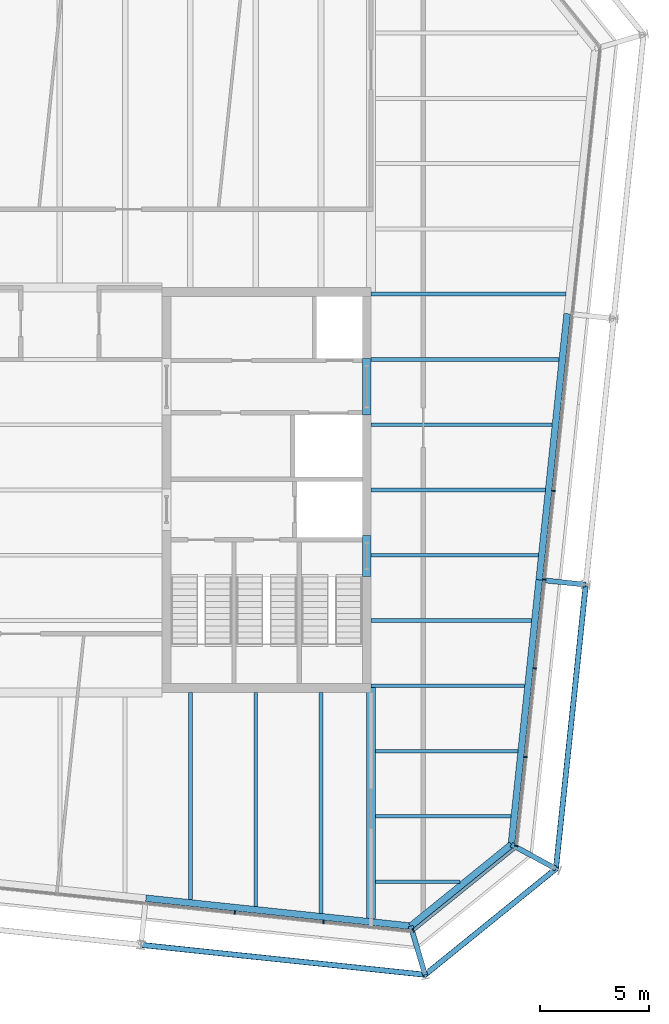
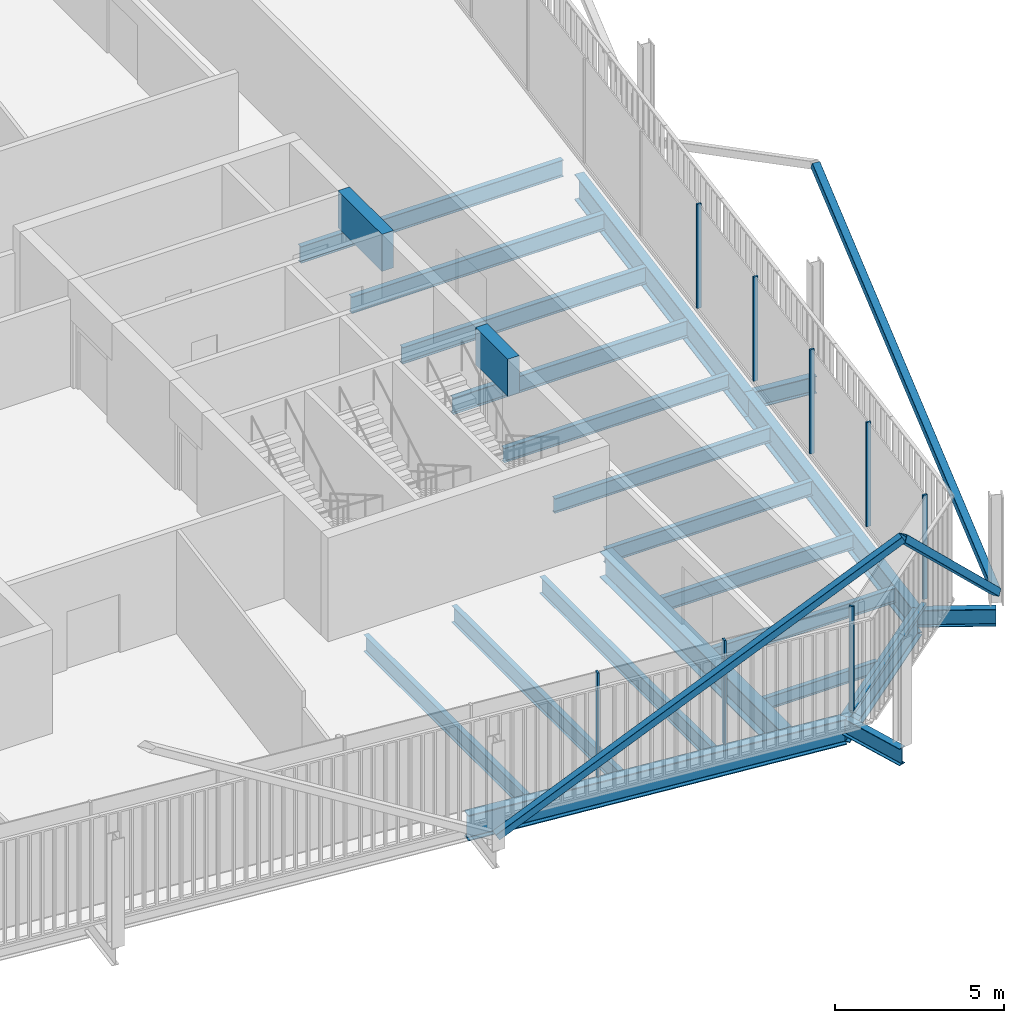
# One storey, part 9 of 21: 23 beams, 12 members, 3 elements without a shape of their own.
"""IFC4 building model written with IfcOpenShell, lengths in metres."""

import ifcopenshell
import ifcopenshell.guid

model = None  # the IFC model being written
_history = None  # IfcOwnerHistory: only IFC2X3 demands one
_inside = {}  # id of a spatial element -> (the spatial element, [elements in it])
_under = {}  # id of a project, library or spatial element -> (it, [spatial elements below it])
_declared = {}  # id of a project -> (the project, [libraries it declares])
_typed = {}  # id of a type object -> (the type object, [elements of that type])
_made_of = {}  # id of a material, layer set ... -> (it, [elements and type objects made of it])


def new_model(schema):
    """Start an empty IFC model of exactly this schema.

    Asked for "IFC4X3", IfcOpenShell would pick the latest addendum, in which some entities
    have other attributes; the version numbers below select the first issue.
    IFC2X3 requires an IfcOwnerHistory on every rooted entity: one is made here for all.
    """
    global model, _history
    if schema == "IFC4X3":
        model = ifcopenshell.file(schema_version=(4, 3, 0, 0))
    else:
        model = ifcopenshell.file(schema=schema)
    _inside.clear()
    _under.clear()
    _declared.clear()
    _typed.clear()
    _made_of.clear()
    _history = None
    if model.schema == "IFC2X3":
        org = make("IfcOrganization", Name="unknown")
        user = make(
            "IfcPersonAndOrganization",
            ThePerson=make("IfcPerson", FamilyName="unknown"),
            TheOrganization=org,
        )
        app = make(
            "IfcApplication",
            ApplicationDeveloper=org,
            Version="unknown",
            ApplicationFullName="unknown",
            ApplicationIdentifier="unknown",
        )
        _history = make(
            "IfcOwnerHistory",
            OwningUser=user,
            OwningApplication=app,
            ChangeAction="ADDED",
            CreationDate=0,
        )
    return model


def make(cls, **values):
    """One entity of the class cls with the attributes given. An attribute that is None is left unset."""
    return model.create_entity(
        cls, **{name: value for name, value in values.items() if value is not None}
    )


def rooted(cls, **values):
    """An entity with a GlobalId (a new one), such as an element, a storey or a relation."""
    return make(cls, GlobalId=ifcopenshell.guid.new(), OwnerHistory=_history, **values)


def si_unit(unit_type, name, prefix=None):
    """IfcSIUnit, for example si_unit("LENGTHUNIT", "METRE", prefix="MILLI")."""
    return make("IfcSIUnit", UnitType=unit_type, Prefix=prefix, Name=name)


def assignment(units):
    """IfcUnitAssignment: the units of a project."""
    return None if units is None else make("IfcUnitAssignment", Units=units)


def point(xyz):
    """IfcCartesianPoint."""
    return None if xyz is None else make("IfcCartesianPoint", Coordinates=xyz)


def direction(xyz):
    """IfcDirection."""
    return None if xyz is None else make("IfcDirection", DirectionRatios=xyz)


def frame(location, z_axis=None, x_axis=None):
    """IfcAxis2Placement3D, a coordinate frame: its origin and axes. An axis left out is left unset."""
    return make(
        "IfcAxis2Placement3D",
        Location=point(location),
        Axis=direction(z_axis),
        RefDirection=direction(x_axis),
    )


def frame_2d(location, x_axis=None):
    """IfcAxis2Placement2D, a coordinate frame in the plane: its origin and x axis."""
    return make(
        "IfcAxis2Placement2D", Location=point(location), RefDirection=direction(x_axis)
    )


def origin():
    """The frame at (0, 0, 0) with its axes left unset."""
    return frame((0.0, 0.0, 0.0))


def origin_2d():
    """The frame at (0, 0) in the plane with its x axis left unset."""
    return frame_2d((0.0, 0.0))


def place(relative_to, where):
    """IfcLocalPlacement: puts the frame where relative to a parent placement (None: the world)."""
    return make(
        "IfcLocalPlacement", PlacementRelTo=relative_to, RelativePlacement=where
    )


def context(
    kind, dimensions, precision=None, world=None, true_north=None, identifier=None
):
    """IfcGeometricRepresentationContext, for example the 3D "Model" context."""
    return make(
        "IfcGeometricRepresentationContext",
        ContextIdentifier=identifier,
        ContextType=kind,
        CoordinateSpaceDimension=dimensions,
        Precision=precision,
        WorldCoordinateSystem=world,
        TrueNorth=true_north,
    )


def subcontext(parent, identifier, kind, view, scale=None):
    """IfcGeometricRepresentationSubContext, for example "Body" below "Model"."""
    return make(
        "IfcGeometricRepresentationSubContext",
        ContextIdentifier=identifier,
        ContextType=kind,
        ParentContext=parent,
        TargetScale=scale,
        TargetView=view,
    )


def project(units=None, contexts=None):
    """IfcProject with its units and contexts."""
    return rooted(
        "IfcProject",
        Name="project",
        RepresentationContexts=contexts,
        UnitsInContext=assignment(units),
    )


def spatial(cls, under=None, at=None, **own):
    """A site, building, storey or space (cls), placed at a placement, below another one or the project."""
    s = rooted(cls, ObjectPlacement=at, **own)
    if under is not None:
        _under.setdefault(under.id(), (under, []))[1].append(s)
    return s


def profile(cls, at=None, kind="AREA", **sizes):
    """A parametric profile (cls). Its sizes go by their IFC names, for example OverallWidth=200.0."""
    return make(cls, ProfileType=kind, Position=at, **sizes)


def rectangle(**sizes):
    """IfcRectangleProfileDef."""
    return profile("IfcRectangleProfileDef", **sizes)


def hollow_rectangle(**sizes):
    """IfcRectangleHollowProfileDef."""
    return profile("IfcRectangleHollowProfileDef", **sizes)


def i_section(**sizes):
    """IfcIShapeProfileDef."""
    return profile("IfcIShapeProfileDef", **sizes)


def extrude(swept, where, along, depth):
    """IfcExtrudedAreaSolid: the profile swept, set in the frame where, extruded along a direction by depth."""
    return make(
        "IfcExtrudedAreaSolid",
        SweptArea=swept,
        Position=where,
        ExtrudedDirection=direction(along),
        Depth=depth,
    )


def shape(context_of_items, identifier, shape_type, items):
    """IfcShapeRepresentation: the items that make up one representation, for example the "Body"."""
    return make(
        "IfcShapeRepresentation",
        ContextOfItems=context_of_items,
        RepresentationIdentifier=identifier,
        RepresentationType=shape_type,
        Items=items,
    )


def material(Name=None, Category=None):
    """IfcMaterial."""
    return make("IfcMaterial", Name=Name, Category=Category)


def layer(
    of_material, thickness, ventilated=None, Name=None, Category=None, Priority=None
):
    """IfcMaterialLayer: one layer of a wall or slab, of a material (None: an air gap)."""
    return make(
        "IfcMaterialLayer",
        Material=of_material,
        LayerThickness=thickness,
        IsVentilated=ventilated,
        Name=Name,
        Category=Category,
        Priority=Priority,
    )


def layer_set(layers, Name=None):
    """IfcMaterialLayerSet."""
    return make("IfcMaterialLayerSet", MaterialLayers=layers, LayerSetName=Name)


def material_profile(
    of_material, cross_section, Name=None, Category=None, Priority=None
):
    """IfcMaterialProfile: a cross section and its material."""
    return make(
        "IfcMaterialProfile",
        Name=Name,
        Material=of_material,
        Profile=cross_section,
        Priority=Priority,
        Category=Category,
    )


def profile_set(profiles, Name=None, composite=None):
    """IfcMaterialProfileSet."""
    return make(
        "IfcMaterialProfileSet",
        Name=Name,
        MaterialProfiles=profiles,
        CompositeProfile=composite,
    )


def made_of(thing, what):
    """Note that an element or type object is made of a material, layer set ...; save() writes the relation."""
    if what is not None:
        _made_of.setdefault(what.id(), (what, []))[1].append(thing)
    return thing


def type_object(cls, material=None, **own):
    """A type object (cls), such as IfcWallType, which elements share."""
    return made_of(rooted(cls, **own), material)


def element(
    cls,
    number,
    at=None,
    inside=None,
    cuts=None,
    type_object=None,
    material=None,
    context=None,
    identifier="Body",
    shape_type=None,
    held_by="IfcProductDefinitionShape",
    body=None,
    shapes=None,
    **own,
):
    """One element of the class cls, such as IfcWall. Its Tag is "e" and its number.

    at: its placement. inside: the storey or other place that contains it. cuts: it is an
    opening in that element (IfcRelVoidsElement). A single representation is given by context,
    identifier, shape_type and body (its items); several are given by shapes. held_by: the class
    of the entity that holds the representations. save() writes the other relations.
    """
    e = rooted(cls, Tag="e%d" % number, ObjectPlacement=at, **own)
    if body is not None:
        shapes = [shape(context, identifier, shape_type, body)]
    if shapes is not None:
        e.Representation = make(held_by, Representations=shapes)
    if inside is not None:
        _inside.setdefault(inside.id(), (inside, []))[1].append(e)
    if cuts is not None:
        rooted(
            "IfcRelVoidsElement", RelatingBuildingElement=cuts, RelatedOpeningElement=e
        )
    if type_object is not None:
        _typed.setdefault(type_object.id(), (type_object, []))[1].append(e)
    return made_of(e, material)


def aggregate(whole, parts):
    """IfcRelAggregates: a whole, such as a stair, and the parts it consists of."""
    return rooted("IfcRelAggregates", RelatingObject=whole, RelatedObjects=parts)


def save(model, path):
    """Write the relations noted so far, then the file.

    IfcRelAggregates (storeys below a building ...), IfcRelContainedInSpatialStructure (elements
    in a storey), IfcRelDefinesByType, IfcRelAssociatesMaterial and IfcRelDeclares: one each for
    every whole, place, type object, material and project.
    """
    for whole, parts in _under.values():
        aggregate(whole, parts)
    for where, things in _inside.values():
        rooted(
            "IfcRelContainedInSpatialStructure",
            RelatedElements=things,
            RelatingStructure=where,
        )
    for kind, things in _typed.values():
        rooted("IfcRelDefinesByType", RelatedObjects=things, RelatingType=kind)
    for what, things in _made_of.values():
        rooted("IfcRelAssociatesMaterial", RelatedObjects=things, RelatingMaterial=what)
    for by, libraries in _declared.values():
        rooted("IfcRelDeclares", RelatingContext=by, RelatedDefinitions=libraries)
    model.write(path)


model = new_model("IFC4")

# Units and contexts
model_context = context("Model", 3, precision=1e-05, world=origin(), true_north=direction((0.0, 1.0)))
body_context = subcontext(model_context, "Body", "Model", "MODEL_VIEW")
ifc_project = project(units=[si_unit("LENGTHUNIT", "METRE"), si_unit("AREAUNIT", "SQUARE_METRE"), si_unit("VOLUMEUNIT", "CUBIC_METRE"), si_unit("PLANEANGLEUNIT", "RADIAN"), si_unit("MASSUNIT", "GRAM", prefix="KILO")], contexts=[model_context])

# Site, building, storey
site_placement = place(None, origin())
site = spatial("IfcSite", under=ifc_project, at=site_placement, CompositionType="ELEMENT")
building_placement = place(site_placement, origin())
building = spatial("IfcBuilding", under=site, at=building_placement, Name="Millrace Tower", CompositionType="ELEMENT")
storey_placement = place(building_placement, frame((0.0, 0.0, 334.300048828125)))
storey = spatial("IfcBuildingStorey", under=building, at=storey_placement, Name="L77", CompositionType="ELEMENT", Elevation=334.300048828125)

# Curtain wall, members
ifc_material_1 = material(Name="Aluminium and glass", Category="aluminium")
ifc_layer = layer(ifc_material_1, 0.14990234375)
ifc_layer_set = layer_set([ifc_layer], Name="Aluminium and glass")
curtain_wall_type = type_object("IfcCurtainWallType", Name="CW-1 office vision curtain wall", PredefinedType="NOTDEFINED", material=ifc_layer_set)
placement = place(storey_placement, origin())
curtain_wall_1 = element("IfcCurtainWall", 1, at=placement, inside=storey, type_object=curtain_wall_type, Name="Curtain wall E-F02 L77", PredefinedType="NOTDEFINED")
ifc_material_2 = material(Name="Aluminium", Category="aluminium")
ifc_material_profile_1 = material_profile(ifc_material_2, rectangle(XDim=0.06494140625, YDim=0.14990234375, at=origin_2d()))
ifc_profile_set_1 = profile_set([ifc_material_profile_1], Name="Aluminium")
member_type_1 = type_object("IfcMemberType", Name="CW-1 office vision curtain wall mullion", PredefinedType="MULLION", material=ifc_profile_set_1)
member_1_placement = place(storey_placement, frame((8.040283203125, -19.4248046875, 0.139892578125), z_axis=(0.0, 0.0, 1.0), x_axis=(0.994521896217, -0.104528455196, 0.0)))
member_1 = element("IfcMember", 2, at=member_1_placement, type_object=member_type_1, Name="CW1 mullion E-F02.8", PredefinedType="MULLION", context=body_context, shape_type="SweptSolid", body=[
    extrude(rectangle(XDim=0.06494140625, YDim=0.14990234375, at=origin_2d()), origin(), (0.0, 0.0, 1.0), 3.760009765625),
])
member_2_placement = place(storey_placement, frame((12.117919921875, -19.853271484375, 0.139892578125), z_axis=(0.0, 0.0, 1.0), x_axis=(0.994521896217, -0.104528455196, 0.0)))
member_2 = element("IfcMember", 3, at=member_2_placement, type_object=member_type_1, Name="CW1 mullion E-F02.9", PredefinedType="MULLION", context=body_context, shape_type="SweptSolid", body=[
    extrude(rectangle(XDim=0.06494140625, YDim=0.14990234375, at=origin_2d()), origin(), (0.0, 0.0, 1.0), 3.760009765625),
])
aggregate(curtain_wall_1, [member_1, member_2])

# Curtain wall, member
curtain_wall_2 = element("IfcCurtainWall", 4, at=placement, inside=storey, type_object=curtain_wall_type, Name="Curtain wall E-F03 L77", PredefinedType="NOTDEFINED")
member_3_placement = place(storey_placement, frame((16.243408203125, -20.24169921875, 0.139892578125), z_axis=(0.0, 0.0, 1.0), x_axis=(0.777146052237, 0.629320278945, 0.0)))
member_3 = element("IfcMember", 5, at=member_3_placement, type_object=member_type_1, Name="CW1 mullion E-F03.1", PredefinedType="MULLION", context=body_context, shape_type="SweptSolid", body=[
    extrude(rectangle(XDim=0.06494140625, YDim=0.14990234375, at=origin_2d()), origin(), (0.0, 0.0, 1.0), 3.760009765625),
])

# Curtain wall, members
curtain_wall_3 = element("IfcCurtainWall", 6, at=placement, inside=storey, type_object=curtain_wall_type, Name="Curtain wall E-F04 L77", PredefinedType="NOTDEFINED")
member_4_placement = place(storey_placement, frame((20.974853515625, -16.3525390625, 0.139892578125), z_axis=(0.0, 0.0, 1.0), x_axis=(0.104528455196, 0.994521896217, 0.0)))
member_4 = element("IfcMember", 7, at=member_4_placement, type_object=member_type_1, Name="CW1 mullion E-F04.1", PredefinedType="MULLION", context=body_context, shape_type="SweptSolid", body=[
    extrude(rectangle(XDim=0.06494140625, YDim=0.14990234375, at=origin_2d()), origin(), (0.0, 0.0, 1.0), 3.760009765625),
])
member_5_placement = place(storey_placement, frame((21.4033203125, -12.27490234375, 0.139892578125), z_axis=(0.0, 0.0, 1.0), x_axis=(0.104528455196, 0.994521896217, 0.0)))
member_5 = element("IfcMember", 8, at=member_5_placement, type_object=member_type_1, Name="CW1 mullion E-F04.2", PredefinedType="MULLION", context=body_context, shape_type="SweptSolid", body=[
    extrude(rectangle(XDim=0.06494140625, YDim=0.14990234375, at=origin_2d()), origin(), (0.0, 0.0, 1.0), 3.760009765625),
])
member_6_placement = place(storey_placement, frame((21.83203125, -8.197509765625, 0.139892578125), z_axis=(0.0, 0.0, 1.0), x_axis=(0.104528455196, 0.994521896217, 0.0)))
member_6 = element("IfcMember", 9, at=member_6_placement, type_object=member_type_1, Name="CW1 mullion E-F04.3", PredefinedType="MULLION", context=body_context, shape_type="SweptSolid", body=[
    extrude(rectangle(XDim=0.06494140625, YDim=0.14990234375, at=origin_2d()), origin(), (0.0, 0.0, 1.0), 3.760009765625),
])
member_7_placement = place(storey_placement, frame((22.260498046875, -4.119873046875, 0.139892578125), z_axis=(0.0, 0.0, 1.0), x_axis=(0.104528455196, 0.994521896217, 0.0)))
member_7 = element("IfcMember", 10, at=member_7_placement, type_object=member_type_1, Name="CW1 mullion E-F04.4", PredefinedType="MULLION", context=body_context, shape_type="SweptSolid", body=[
    extrude(rectangle(XDim=0.06494140625, YDim=0.14990234375, at=origin_2d()), origin(), (0.0, 0.0, 1.0), 3.760009765625),
])
member_8_placement = place(storey_placement, frame((22.68896484375, -0.042236328125, 0.139892578125), z_axis=(0.0, 0.0, 1.0), x_axis=(0.104528455196, 0.994521896217, 0.0)))
member_8 = element("IfcMember", 11, at=member_8_placement, type_object=member_type_1, Name="CW1 mullion E-F04.5", PredefinedType="MULLION", context=body_context, shape_type="SweptSolid", body=[
    extrude(rectangle(XDim=0.06494140625, YDim=0.14990234375, at=origin_2d()), origin(), (0.0, 0.0, 1.0), 3.760009765625),
])
aggregate(curtain_wall_3, [member_4, member_5, member_6, member_7, member_8])

# Member
ifc_material_3 = material(Name="Aluminium", Category="aluminium")
ifc_material_profile_2 = material_profile(ifc_material_3, rectangle(XDim=0.14990234375, YDim=0.139892578125, at=origin_2d()))
ifc_profile_set_2 = profile_set([ifc_material_profile_2], Name="Aluminium")
member_type_2 = type_object("IfcMemberType", Name="CW-1 office vision curtain wall transom", PredefinedType="USERDEFINED", material=ifc_profile_set_2)
member_9_placement = place(storey_placement, frame((16.2958984375, -20.19921875, 0.070068359375), z_axis=(0.77714915117, 0.629316452061, 0.0), x_axis=(-0.629316452061, 0.77714915117, 0.0)))
member_9 = element("IfcMember", 12, at=member_9_placement, type_object=member_type_2, Name="CW1 transom E-F03.1", ObjectType="TRANSOM", PredefinedType="USERDEFINED", context=body_context, shape_type="SweptSolid", body=[
    extrude(rectangle(XDim=0.14990234375, YDim=0.139892578125, at=origin_2d()), origin(), (0.0, 0.0, 1.0), 5.880859375),
])

aggregate(curtain_wall_2, [member_3, member_9])

# Beams
ifc_material_4 = material(Name="Concrete C60", Category="concrete")
ifc_material_profile_3 = material_profile(ifc_material_4, rectangle(XDim=0.39990234375, YDim=1.340087890625, at=origin_2d()))
ifc_profile_set_3 = profile_set([ifc_material_profile_3], Name="Concrete C60")
beam_type_1 = type_object("IfcBeamType", Name="Coupling beam 400 x 1340 Concrete C60, 1300 opening", PredefinedType="BEAM", material=ifc_profile_set_3)
beam_1_placement = place(storey_placement, frame((14.10009765625, -2.080078125, 3.070068359375), z_axis=(0.0, -1.0, 0.0), x_axis=(1.0, 0.0, 0.0)))
element("IfcBeam", 13, at=beam_1_placement, inside=storey, type_object=beam_type_1, Name="Coupling beam E L77", PredefinedType="BEAM", context=body_context, shape_type="SweptSolid", body=[
    extrude(rectangle(XDim=0.39990234375, YDim=1.340087890625, at=origin_2d()), origin(), (0.0, 0.0, 1.0), 1.89990234375),
])
ifc_material_5 = material(Name="Concrete C60", Category="concrete")
ifc_material_profile_4 = material_profile(ifc_material_5, rectangle(XDim=0.39990234375, YDim=1.340087890625, at=origin_2d()))
ifc_profile_set_4 = profile_set([ifc_material_profile_4], Name="Concrete C60")
beam_type_2 = type_object("IfcBeamType", Name="Coupling beam 400 x 1340 Concrete C60, 2000 opening", PredefinedType="BEAM", material=ifc_profile_set_4)
beam_2_placement = place(storey_placement, frame((14.10009765625, 6.050048828125, 3.070068359375), z_axis=(0.0, -1.0, 0.0), x_axis=(1.0, 0.0, 0.0)))
element("IfcBeam", 14, at=beam_2_placement, inside=storey, type_object=beam_type_2, Name="Coupling beam E L77", PredefinedType="BEAM", context=body_context, shape_type="SweptSolid", body=[
    extrude(rectangle(XDim=0.39990234375, YDim=1.340087890625, at=origin_2d()), origin(), (0.0, 0.0, 1.0), 2.60009765625),
])

# Members
ifc_material_6 = material(Name="Steel ASTM A500 Grade C", Category="steel")
ifc_material_profile_5 = material_profile(ifc_material_6, hollow_rectangle(XDim=0.25390625, YDim=0.25390625, WallThickness=0.009521484375, InnerFilletRadius=0.004638671875, OuterFilletRadius=0.014404296875, at=origin_2d()))
ifc_profile_set_5 = profile_set([ifc_material_profile_5], Name="Steel ASTM A500 Grade C")
member_type_3 = type_object("IfcMemberType", Name="Exoskeleton brace HSS10x10x3/8", PredefinedType="BRACE", material=ifc_profile_set_5)
member_10_placement = place(storey_placement, frame((3.729248046875, -20.9072265625, 0.39990234375), z_axis=(0.877568210125, -0.092238278747, 0.470495628578), x_axis=(0.104530865473, 0.994521642883, 0.0)))
element("IfcMember", 15, at=member_10_placement, inside=storey, type_object=member_type_3, Name="BRC-E-L77-04", PredefinedType="BRACE", context=body_context, shape_type="SweptSolid", body=[
    extrude(hollow_rectangle(XDim=0.25390625, YDim=0.25390625, WallThickness=0.009521484375, InnerFilletRadius=0.004638671875, OuterFilletRadius=0.014404296875, at=origin_2d()), origin(), (0.0, 0.0, 1.0), 14.8779296875),
])
member_11_placement = place(storey_placement, frame((22.79931640625, -17.409912109375, 0.39990234375), z_axis=(-0.576329152125, -0.466688099557, 0.670855369021), x_axis=(0.629308952043, -0.777155224442, 0.0)))
element("IfcMember", 16, at=member_11_placement, inside=storey, type_object=member_type_3, Name="BRC-E-L77-05", PredefinedType="BRACE", context=body_context, shape_type="SweptSolid", body=[
    extrude(hollow_rectangle(XDim=0.25390625, YDim=0.25390625, WallThickness=0.009521484375, InnerFilletRadius=0.004638671875, OuterFilletRadius=0.014404296875, at=origin_2d()), origin(), (0.0, 0.0, 1.0), 10.434326171875),
])
member_12_placement = place(storey_placement, frame((22.79931640625, -17.409912109375, 0.39990234375), z_axis=(0.092236950483, 0.877571982182, 0.470488853274), x_axis=(-0.994521846076, 0.104528932251, 0.0)))
element("IfcMember", 17, at=member_12_placement, inside=storey, type_object=member_type_3, Name="BRC-E-L77-06", PredefinedType="BRACE", context=body_context, shape_type="SweptSolid", body=[
    extrude(hollow_rectangle(XDim=0.25390625, YDim=0.25390625, WallThickness=0.009521484375, InnerFilletRadius=0.004638671875, OuterFilletRadius=0.014404296875, at=origin_2d()), origin(), (0.0, 0.0, 1.0), 14.878173828125),
])

# Beams
ifc_material_7 = material(Name="Steel ASTM A992 Grade 50", Category="steel")
ifc_material_profile_6 = material_profile(ifc_material_7, i_section(OverallWidth=0.15234375, OverallDepth=0.449462890625, WebThickness=0.007568359375, FlangeThickness=0.0107421875, FilletRadius=0.01025390625, at=origin_2d()))
ifc_profile_set_6 = profile_set([ifc_material_profile_6], Name="Steel ASTM A992 Grade 50")
beam_type_3 = type_object("IfcBeamType", Name="Floor beam W18x35", PredefinedType="JOIST", material=ifc_profile_set_6)
beam_3_placement = place(storey_placement, frame((14.509521484375, -18.0, -0.384765625), z_axis=(1.0, 0.0, 0.0), x_axis=(0.0, 1.0, 0.0)))
element("IfcBeam", 18, at=beam_3_placement, inside=storey, type_object=beam_type_3, Name="BM-E-L77-S1-S001", PredefinedType="JOIST", context=body_context, shape_type="SweptSolid", body=[
    extrude(i_section(OverallWidth=0.15234375, OverallDepth=0.449462890625, WebThickness=0.007568359375, FlangeThickness=0.0107421875, FilletRadius=0.01025390625, at=origin_2d()), origin(), (0.0, 0.0, 1.0), 3.87060546875),
])
ifc_material_8 = material(Name="Steel ASTM A992 Grade 50", Category="steel")
ifc_material_profile_7 = material_profile(ifc_material_8, i_section(OverallWidth=0.1650390625, OverallDepth=0.52587890625, WebThickness=0.0087890625, FlangeThickness=0.011474609375, FilletRadius=0.0126953125, at=origin_2d()))
ifc_profile_set_7 = profile_set([ifc_material_profile_7], Name="Steel ASTM A992 Grade 50")
beam_type_4 = type_object("IfcBeamType", Name="Floor beam W21x44", PredefinedType="JOIST", material=ifc_profile_set_7)
beam_4_placement = place(storey_placement, frame((14.509521484375, -15.0, -0.4228515625), z_axis=(1.0, 0.0, 0.0), x_axis=(0.0, 1.0, 0.0)))
element("IfcBeam", 19, at=beam_4_placement, inside=storey, type_object=beam_type_4, Name="BM-E-L77-S1-S003", PredefinedType="JOIST", context=body_context, shape_type="SweptSolid", body=[
    extrude(i_section(OverallWidth=0.1650390625, OverallDepth=0.52587890625, WebThickness=0.0087890625, FlangeThickness=0.011474609375, FilletRadius=0.0126953125, at=origin_2d()), origin(), (0.0, 0.0, 1.0), 6.222900390625),
])
beam_5_placement = place(storey_placement, frame((14.509521484375, -12.0, -0.4228515625), z_axis=(1.0, 0.0, 0.0), x_axis=(0.0, 1.0, 0.0)))
element("IfcBeam", 20, at=beam_5_placement, inside=storey, type_object=beam_type_4, Name="BM-E-L77-S1-S005", PredefinedType="JOIST", context=body_context, shape_type="SweptSolid", body=[
    extrude(i_section(OverallWidth=0.1650390625, OverallDepth=0.52587890625, WebThickness=0.0087890625, FlangeThickness=0.011474609375, FilletRadius=0.0126953125, at=origin_2d()), origin(), (0.0, 0.0, 1.0), 6.538330078125),
])
beam_6_placement = place(storey_placement, frame((14.300048828125, -9.0, -0.4228515625), z_axis=(1.0, 0.0, 0.0), x_axis=(0.0, 1.0, 0.0)))
element("IfcBeam", 21, at=beam_6_placement, inside=storey, type_object=beam_type_4, Name="BM-E-L77-S1-S007", PredefinedType="JOIST", context=body_context, shape_type="SweptSolid", body=[
    extrude(i_section(OverallWidth=0.1650390625, OverallDepth=0.52587890625, WebThickness=0.0087890625, FlangeThickness=0.011474609375, FilletRadius=0.0126953125, at=origin_2d()), origin(), (0.0, 0.0, 1.0), 7.06298828125),
])
beam_7_placement = place(storey_placement, frame((14.300048828125, -6.0, -0.4228515625), z_axis=(1.0, 0.0, 0.0), x_axis=(0.0, 1.0, 0.0)))
element("IfcBeam", 22, at=beam_7_placement, inside=storey, type_object=beam_type_4, Name="BM-E-L77-S1-S010", PredefinedType="JOIST", context=body_context, shape_type="SweptSolid", body=[
    extrude(i_section(OverallWidth=0.1650390625, OverallDepth=0.52587890625, WebThickness=0.0087890625, FlangeThickness=0.011474609375, FilletRadius=0.0126953125, at=origin_2d()), origin(), (0.0, 0.0, 1.0), 7.37841796875),
])
beam_8_placement = place(storey_placement, frame((14.300048828125, -3.0, -0.4228515625), z_axis=(1.0, 0.0, 0.0), x_axis=(0.0, 1.0, 0.0)))
element("IfcBeam", 23, at=beam_8_placement, inside=storey, type_object=beam_type_4, Name="BM-E-L77-S1-S013", PredefinedType="JOIST", context=body_context, shape_type="SweptSolid", body=[
    extrude(i_section(OverallWidth=0.1650390625, OverallDepth=0.52587890625, WebThickness=0.0087890625, FlangeThickness=0.011474609375, FilletRadius=0.0126953125, at=origin_2d()), origin(), (0.0, 0.0, 1.0), 7.693603515625),
])
ifc_material_9 = material(Name="Steel ASTM A992 Grade 50", Category="steel")
ifc_material_profile_8 = material_profile(ifc_material_9, i_section(OverallWidth=0.177978515625, OverallDepth=0.599365234375, WebThickness=0.010009765625, FlangeThickness=0.012939453125, FilletRadius=0.012939453125, at=origin_2d()))
ifc_profile_set_8 = profile_set([ifc_material_profile_8], Name="Steel ASTM A992 Grade 50")
beam_type_5 = type_object("IfcBeamType", Name="Floor beam W24x55", PredefinedType="JOIST", material=ifc_profile_set_8)
beam_9_placement = place(storey_placement, frame((14.300048828125, 0.0, -0.459716796875), z_axis=(1.0, 0.0, 0.0), x_axis=(0.0, 1.0, 0.0)))
element("IfcBeam", 24, at=beam_9_placement, inside=storey, type_object=beam_type_5, Name="BM-E-L77-S1-S016", PredefinedType="JOIST", context=body_context, shape_type="SweptSolid", body=[
    extrude(i_section(OverallWidth=0.177978515625, OverallDepth=0.599365234375, WebThickness=0.010009765625, FlangeThickness=0.012939453125, FilletRadius=0.012939453125, at=origin_2d()), origin(), (0.0, 0.0, 1.0), 8.009033203125),
])
beam_10_placement = place(storey_placement, frame((14.300048828125, 3.0, -0.459716796875), z_axis=(1.0, 0.0, 0.0), x_axis=(0.0, 1.0, 0.0)))
element("IfcBeam", 25, at=beam_10_placement, inside=storey, type_object=beam_type_5, Name="BM-E-L77-S1-S019", PredefinedType="JOIST", context=body_context, shape_type="SweptSolid", body=[
    extrude(i_section(OverallWidth=0.177978515625, OverallDepth=0.599365234375, WebThickness=0.010009765625, FlangeThickness=0.012939453125, FilletRadius=0.012939453125, at=origin_2d()), origin(), (0.0, 0.0, 1.0), 8.324462890625),
])
beam_11_placement = place(storey_placement, frame((14.300048828125, 6.0, -0.459716796875), z_axis=(1.0, 0.0, 0.0), x_axis=(0.0, 1.0, 0.0)))
element("IfcBeam", 26, at=beam_11_placement, inside=storey, type_object=beam_type_5, Name="BM-E-L77-S1-S022", PredefinedType="JOIST", context=body_context, shape_type="SweptSolid", body=[
    extrude(i_section(OverallWidth=0.177978515625, OverallDepth=0.599365234375, WebThickness=0.010009765625, FlangeThickness=0.012939453125, FilletRadius=0.012939453125, at=origin_2d()), origin(), (0.0, 0.0, 1.0), 8.6396484375),
])
beam_12_placement = place(storey_placement, frame((14.300048828125, 9.0, -0.459716796875), z_axis=(1.0, 0.0, 0.0), x_axis=(0.0, 1.0, 0.0)))
element("IfcBeam", 27, at=beam_12_placement, inside=storey, type_object=beam_type_5, Name="BM-E-L77-S1-S024", PredefinedType="JOIST", context=body_context, shape_type="SweptSolid", body=[
    extrude(i_section(OverallWidth=0.177978515625, OverallDepth=0.599365234375, WebThickness=0.010009765625, FlangeThickness=0.012939453125, FilletRadius=0.012939453125, at=origin_2d()), origin(), (0.0, 0.0, 1.0), 8.955078125),
])
beam_13_placement = place(storey_placement, frame((6.0, -18.825927734375, -0.459716796875), z_axis=(0.0, 1.0, 0.0), x_axis=(-1.0, 0.0, 0.0)))
element("IfcBeam", 28, at=beam_13_placement, inside=storey, type_object=beam_type_5, Name="BM-E-L77-S1-S049", PredefinedType="JOIST", context=body_context, shape_type="SweptSolid", body=[
    extrude(i_section(OverallWidth=0.177978515625, OverallDepth=0.599365234375, WebThickness=0.010009765625, FlangeThickness=0.012939453125, FilletRadius=0.012939453125, at=origin_2d()), origin(), (0.0, 0.0, 1.0), 9.52587890625),
])
beam_14_placement = place(storey_placement, frame((9.0, -19.14111328125, -0.459716796875), z_axis=(0.0, 1.0, 0.0), x_axis=(-1.0, 0.0, 0.0)))
element("IfcBeam", 29, at=beam_14_placement, inside=storey, type_object=beam_type_5, Name="BM-E-L77-S1-S051", PredefinedType="JOIST", context=body_context, shape_type="SweptSolid", body=[
    extrude(i_section(OverallWidth=0.177978515625, OverallDepth=0.599365234375, WebThickness=0.010009765625, FlangeThickness=0.012939453125, FilletRadius=0.012939453125, at=origin_2d()), origin(), (0.0, 0.0, 1.0), 9.841064453125),
])
ifc_material_10 = material(Name="Steel ASTM A992 Grade 50", Category="steel")
ifc_material_profile_9 = material_profile(ifc_material_10, i_section(OverallWidth=0.1787109375, OverallDepth=0.60205078125, WebThickness=0.010986328125, FlangeThickness=0.014892578125, FilletRadius=0.0126953125, at=origin_2d()))
ifc_profile_set_9 = profile_set([ifc_material_profile_9], Name="Steel ASTM A992 Grade 50")
beam_type_6 = type_object("IfcBeamType", Name="Floor beam W24x62", PredefinedType="JOIST", material=ifc_profile_set_9)
beam_15_placement = place(storey_placement, frame((12.0, -19.45654296875, -0.4609375), z_axis=(0.0, 1.0, 0.0), x_axis=(-1.0, 0.0, 0.0)))
element("IfcBeam", 30, at=beam_15_placement, inside=storey, type_object=beam_type_6, Name="BM-E-L77-S1-S053", PredefinedType="JOIST", context=body_context, shape_type="SweptSolid", body=[
    extrude(i_section(OverallWidth=0.1787109375, OverallDepth=0.60205078125, WebThickness=0.010986328125, FlangeThickness=0.014892578125, FilletRadius=0.0126953125, at=origin_2d()), origin(), (0.0, 0.0, 1.0), 10.156494140625),
])
ifc_material_11 = material(Name="Steel ASTM A992 Grade 50", Category="steel")
ifc_material_profile_10 = material_profile(ifc_material_11, i_section(OverallWidth=0.419189453125, OverallDepth=0.927001953125, WebThickness=0.019287109375, FlangeThickness=0.031982421875, FilletRadius=0.024169921875, at=origin_2d()))
ifc_profile_set_10 = profile_set([ifc_material_profile_10], Name="Steel ASTM A992 Grade 50")
beam_type_7 = type_object("IfcBeamType", Name="Girder short span W36x231", PredefinedType="BEAM", material=ifc_profile_set_10)
beam_16_placement = place(storey_placement, frame((14.300048828125, -19.6982421875, -0.62353515625), z_axis=(0.0, 1.0, 0.0), x_axis=(-1.0, 0.0, 0.0)))
element("IfcBeam", 31, at=beam_16_placement, inside=storey, type_object=beam_type_7, Name="BM-E-L77-S1-G057", PredefinedType="BEAM", context=body_context, shape_type="SweptSolid", body=[
    extrude(i_section(OverallWidth=0.419189453125, OverallDepth=0.927001953125, WebThickness=0.019287109375, FlangeThickness=0.031982421875, FilletRadius=0.024169921875, at=origin_2d()), origin(), (0.0, 0.0, 1.0), 10.6142578125),
])
ifc_material_12 = material(Name="Steel ASTM A992 Grade 50", Category="steel")
ifc_material_profile_11 = material_profile(ifc_material_12, i_section(OverallWidth=0.23046875, OverallDepth=0.6171875, WebThickness=0.01318359375, FlangeThickness=0.022216796875, FilletRadius=0.012939453125, at=origin_2d()))
ifc_profile_set_11 = profile_set([ifc_material_profile_11], Name="Steel ASTM A992 Grade 50")
beam_type_8 = type_object("IfcBeamType", Name="Link beam W24x94", PredefinedType="BEAM", material=ifc_profile_set_11)
beam_17_placement = place(storey_placement, frame((22.1826171875, -4.144287109375, -0.46875), z_axis=(0.99452550138, -0.104494148666, 0.0), x_axis=(0.104494148666, 0.99452550138, 0.0)))
element("IfcBeam", 32, at=beam_17_placement, inside=storey, type_object=beam_type_8, Name="LNK-E-L77-S1-11", PredefinedType="BEAM", context=body_context, shape_type="SweptSolid", body=[
    extrude(i_section(OverallWidth=0.23046875, OverallDepth=0.6171875, WebThickness=0.01318359375, FlangeThickness=0.022216796875, FilletRadius=0.012939453125, at=origin_2d()), origin(), (0.0, 0.0, 1.0), 2.0),
])
for number, where, z_axis, x_axis, name in (
    (33, (20.750732421875, -16.297607421875, -0.46875), (0.87881453358, -0.477163510307, 0.0), (0.477163510307, 0.87881453358, 0.0), "LNK-E-L77-S1-12"),
    (34, (16.123779296875, -20.04443359375, -0.46875), (0.283934988541, -0.958843533785, 0.0), (0.958843533785, 0.283934988541, 0.0), "LNK-E-L77-S1-13"),
):
    element("IfcBeam", number, at=place(storey_placement, frame(where, z_axis=z_axis, x_axis=x_axis)), inside=storey, type_object=beam_type_8, Name=name, PredefinedType="BEAM", context=body_context, shape_type="SweptSolid", body=[
        extrude(i_section(OverallWidth=0.23046875, OverallDepth=0.6171875, WebThickness=0.01318359375, FlangeThickness=0.022216796875, FilletRadius=0.012939453125, at=origin_2d()), origin(), (0.0, 0.0, 1.0), 2.3310546875),
    ])
ifc_material_13 = material(Name="Steel ASTM A992 Grade 50", Category="steel")
ifc_material_profile_12 = material_profile(ifc_material_13, i_section(OverallWidth=0.307373046875, OverallDepth=0.927001953125, WebThickness=0.01953125, FlangeThickness=0.031982421875, FilletRadius=0.01904296875, at=origin_2d()))
ifc_profile_set_12 = profile_set([ifc_material_profile_12], Name="Steel ASTM A992 Grade 50")
beam_type_9 = type_object("IfcBeamType", Name="Ring beam medium span W36x194", PredefinedType="SPANDREL", material=ifc_profile_set_12)
beam_18_placement = place(storey_placement, frame((23.3154296875, 8.104248046875, -0.62353515625), z_axis=(-0.10452566363, -0.994522189618, 0.0), x_axis=(0.994522189618, -0.10452566363, 0.0)))
element("IfcBeam", 35, at=beam_18_placement, inside=storey, type_object=beam_type_9, Name="RNG-E-L77-S1-10", PredefinedType="SPANDREL", context=body_context, shape_type="SweptSolid", body=[
    extrude(i_section(OverallWidth=0.307373046875, OverallDepth=0.927001953125, WebThickness=0.01953125, FlangeThickness=0.031982421875, FilletRadius=0.01904296875, at=origin_2d()), origin(), (0.0, 0.0, 1.0), 12.2998046875),
])
for number, where, z_axis, x_axis, name in (
    (36, (22.02978515625, -4.128173828125, -0.62353515625), (-0.104527955888, -0.994521948696, 0.0), (0.994521948696, -0.104527955888, 0.0), "RNG-E-L77-S1-11"),
    (37, (16.123779296875, -20.04443359375, -0.62353515625), (-0.994521948696, 0.104527955888, 0.0), (-0.104527955888, -0.994521948696, 0.0), "RNG-E-L77-S1-13"),
):
    element("IfcBeam", number, at=place(storey_placement, frame(where, z_axis=z_axis, x_axis=x_axis)), inside=storey, type_object=beam_type_9, Name=name, PredefinedType="SPANDREL", context=body_context, shape_type="SweptSolid", body=[
        extrude(i_section(OverallWidth=0.307373046875, OverallDepth=0.927001953125, WebThickness=0.01953125, FlangeThickness=0.031982421875, FilletRadius=0.01904296875, at=origin_2d()), origin(), (0.0, 0.0, 1.0), 12.236572265625),
    ])
ifc_material_14 = material(Name="Steel ASTM A992 Grade 50", Category="steel")
ifc_material_profile_13 = material_profile(ifc_material_14, i_section(OverallWidth=0.307373046875, OverallDepth=0.927001953125, WebThickness=0.01953125, FlangeThickness=0.031982421875, FilletRadius=0.01904296875, at=origin_2d()))
ifc_profile_set_13 = profile_set([ifc_material_profile_13], Name="Steel ASTM A992 Grade 50")
beam_type_10 = type_object("IfcBeamType", Name="Ring beam short span W36x194", PredefinedType="SPANDREL", material=ifc_profile_set_13)
beam_19_placement = place(storey_placement, frame((20.750732421875, -16.297607421875, -0.62353515625), z_axis=(-0.777146502883, -0.629319722443, 0.0), x_axis=(0.629319722443, -0.777146502883, 0.0)))
element("IfcBeam", 38, at=beam_19_placement, inside=storey, type_object=beam_type_10, Name="RNG-E-L77-S1-12", PredefinedType="SPANDREL", context=body_context, shape_type="SweptSolid", body=[
    extrude(i_section(OverallWidth=0.307373046875, OverallDepth=0.927001953125, WebThickness=0.01953125, FlangeThickness=0.031982421875, FilletRadius=0.01904296875, at=origin_2d()), origin(), (0.0, 0.0, 1.0), 5.953857421875),
])

save(model, "model.ifc")
